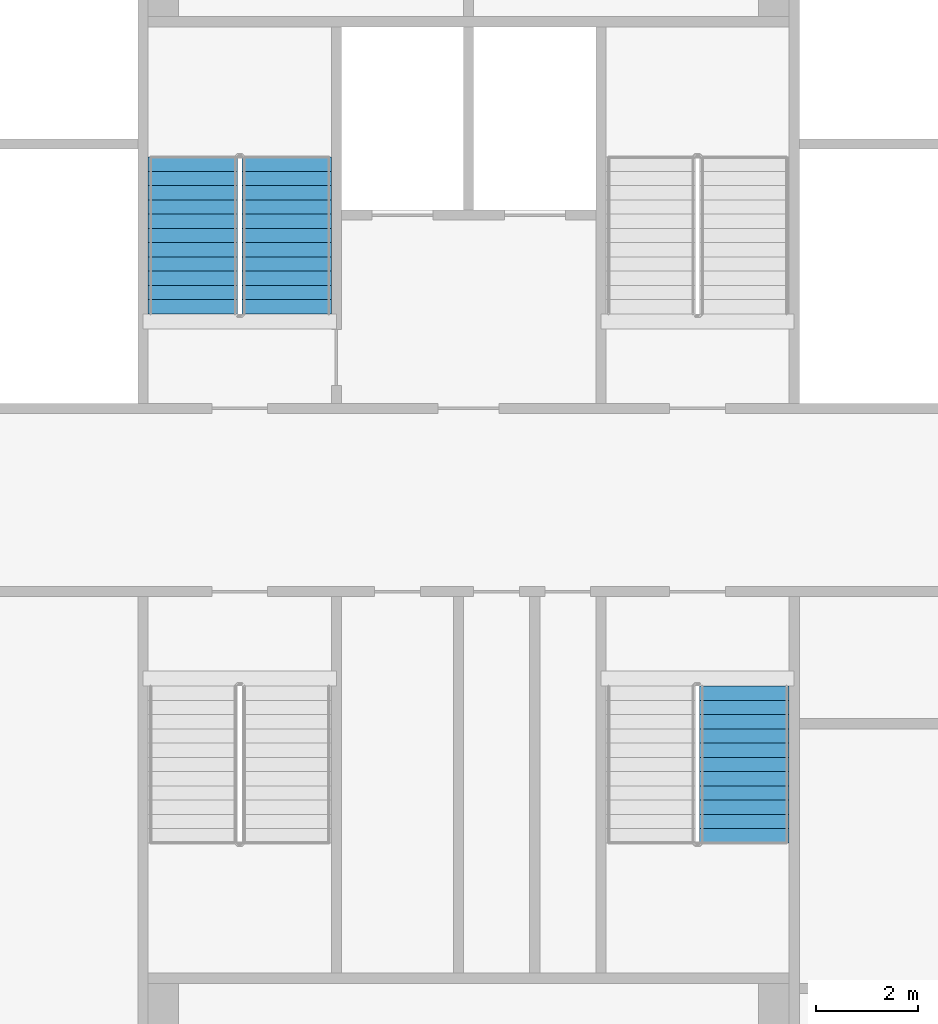
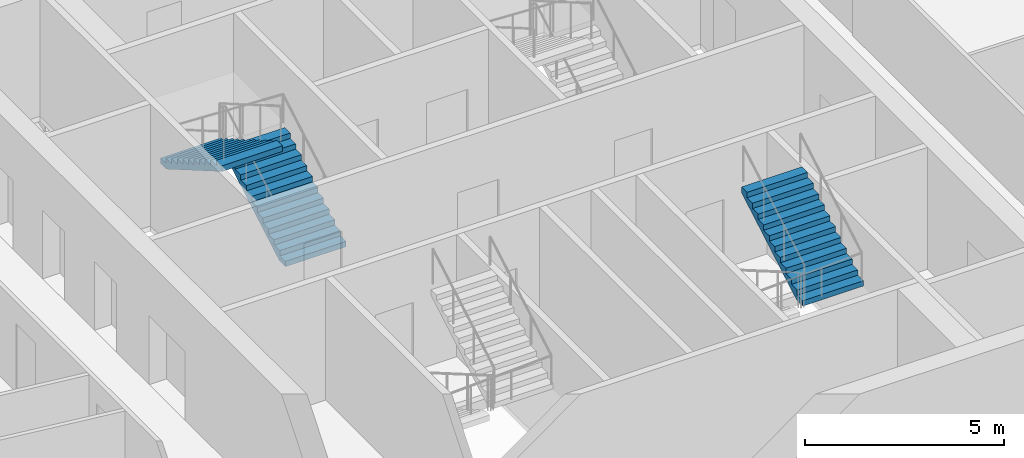
# One storey, part 15 of 21: 3 stair flights, 2 elements without a shape of their own.
"""IFC4 building model written with IfcOpenShell, lengths in metres."""

from ifc_helpers import new_model, si_unit, direction, frame, origin, place, context, subcontext, project, spatial, faceted_brep, material, type_object, element, aggregate, save


model = new_model("IFC4")

# Units and contexts
model_context = context("Model", 3, precision=1e-05, world=origin(), true_north=direction((0.0, 1.0)))
body_context = subcontext(model_context, "Body", "Model", "MODEL_VIEW")
ifc_project = project(units=[si_unit("LENGTHUNIT", "METRE"), si_unit("AREAUNIT", "SQUARE_METRE"), si_unit("VOLUMEUNIT", "CUBIC_METRE"), si_unit("PLANEANGLEUNIT", "RADIAN"), si_unit("MASSUNIT", "GRAM", prefix="KILO")], contexts=[model_context])

# Site, building, storey
site_placement = place(None, origin())
site = spatial("IfcSite", under=ifc_project, at=site_placement, CompositionType="ELEMENT")
building_placement = place(site_placement, origin())
building = spatial("IfcBuilding", under=site, at=building_placement, Name="Tarsis Ring Headquarters", CompositionType="ELEMENT")
storey_placement = place(building_placement, frame((0.0, 0.0, 255.199951171875)))
storey = spatial("IfcBuildingStorey", under=building, at=storey_placement, Name="L59", CompositionType="ELEMENT", Elevation=255.199951171875)

# Stair, stair flights
ifc_material_1 = material(Name="Core stair 1760")
stair_type = type_object("IfcStairType", Name="Core stair 1760", PredefinedType="HALF_TURN_STAIR", material=ifc_material_1)
stair_1_placement = place(storey_placement, origin())
stair_1 = element("IfcStair", 1, at=stair_1_placement, inside=storey, type_object=stair_type, Name="L59 Firefighting stair", PredefinedType="HALF_TURN_STAIR")
ifc_material_2 = material(Name="Concrete C40/50", Category="concrete")
stair_flight_type = type_object("IfcStairFlightType", Name="Core stair flight 1760", PredefinedType="STRAIGHT", material=ifc_material_2)
stair_flight_1_placement = place(storey_placement, frame((-3.580078125, 3.659912109375, 0.0), z_axis=(0.0, 0.0, 1.0), x_axis=(0.0, 1.0, 0.0)))
stair_flight_1 = element("IfcStairFlight", 2, at=stair_flight_1_placement, type_object=stair_flight_type, Name="Stair ST1 flight 1", NumberOfRisers=12, NumberOfTreads=11, PredefinedType="STRAIGHT", RiserHeight=0.1625, TreadLength=0.28, context=body_context, shape_type="Brep", body=[
    faceted_brep([(0.0, 0.8798828125, 0.0), (0.0, 0.8798828125, 0.16259765625), (0.280029296875, 0.8798828125, 0.16259765625), (0.280029296875, 0.8798828125, 0.324951171875), (0.56005859375, 0.8798828125, 0.324951171875), (0.56005859375, 0.8798828125, 0.487548828125), (0.840087890625, 0.8798828125, 0.487548828125), (0.840087890625, 0.8798828125, 0.64990234375), (1.1201171875, 0.8798828125, 0.64990234375), (1.1201171875, 0.8798828125, 0.8125), (1.39990234375, 0.8798828125, 0.8125), (1.39990234375, 0.8798828125, 0.97509765625), (1.679931640625, 0.8798828125, 0.97509765625), (1.679931640625, 0.8798828125, 1.137451171875), (1.9599609375, 0.8798828125, 1.137451171875), (1.9599609375, 0.8798828125, 1.300048828125), (2.239990234375, 0.8798828125, 1.300048828125), (2.239990234375, 0.8798828125, 1.46240234375), (2.52001953125, 0.8798828125, 1.46240234375), (2.52001953125, 0.8798828125, 1.625), (2.800048828125, 0.8798828125, 1.625), (2.800048828125, 0.8798828125, 1.78759765625), (3.080078125, 0.8798828125, 1.78759765625), (3.080078125, 0.8798828125, 1.6142578125), (0.298583984375, 0.8798828125, 0.0), (0.298583984375, -0.8798828125, 0.0), (3.080078125, -0.8798828125, 1.6142578125), (3.080078125, -0.8798828125, 1.78759765625), (2.800048828125, -0.8798828125, 1.78759765625), (2.800048828125, -0.8798828125, 1.625), (2.52001953125, -0.8798828125, 1.625), (2.52001953125, -0.8798828125, 1.46240234375), (2.239990234375, -0.8798828125, 1.46240234375), (2.239990234375, -0.8798828125, 1.300048828125), (1.9599609375, -0.8798828125, 1.300048828125), (1.9599609375, -0.8798828125, 1.137451171875), (1.679931640625, -0.8798828125, 1.137451171875), (1.679931640625, -0.8798828125, 0.97509765625), (1.39990234375, -0.8798828125, 0.97509765625), (1.39990234375, -0.8798828125, 0.8125), (1.1201171875, -0.8798828125, 0.8125), (1.1201171875, -0.8798828125, 0.64990234375), (0.840087890625, -0.8798828125, 0.64990234375), (0.840087890625, -0.8798828125, 0.487548828125), (0.56005859375, -0.8798828125, 0.487548828125), (0.56005859375, -0.8798828125, 0.324951171875), (0.280029296875, -0.8798828125, 0.324951171875), (0.280029296875, -0.8798828125, 0.16259765625), (0.0, -0.8798828125, 0.16259765625), (0.0, -0.8798828125, 0.0), (0.0, -0.43994140625, 0.16259765625), (0.0, -0.43994140625, 0.0), (0.0, 0.0, 0.16259765625), (0.0, 0.0, 0.0), (0.0, 0.43994140625, 0.16259765625), (0.0, 0.43994140625, 0.0), (0.280029296875, -0.43994140625, 0.16259765625), (0.280029296875, 0.0, 0.16259765625), (0.280029296875, 0.43994140625, 0.16259765625), (0.280029296875, -0.43994140625, 0.324951171875), (0.280029296875, 0.0, 0.324951171875), (0.280029296875, 0.43994140625, 0.324951171875), (0.56005859375, -0.43994140625, 0.324951171875), (0.56005859375, 0.0, 0.324951171875), (0.56005859375, 0.43994140625, 0.324951171875), (0.56005859375, -0.43994140625, 0.487548828125), (0.56005859375, 0.0, 0.487548828125), (0.56005859375, 0.43994140625, 0.487548828125), (0.840087890625, -0.43994140625, 0.487548828125), (0.840087890625, 0.0, 0.487548828125), (0.840087890625, 0.43994140625, 0.487548828125), (0.840087890625, -0.43994140625, 0.64990234375), (0.840087890625, 0.0, 0.64990234375), (0.840087890625, 0.43994140625, 0.64990234375), (1.1201171875, -0.43994140625, 0.64990234375), (1.1201171875, 0.0, 0.64990234375), (1.1201171875, 0.43994140625, 0.64990234375), (1.1201171875, -0.43994140625, 0.8125), (1.1201171875, 0.0, 0.8125), (1.1201171875, 0.43994140625, 0.8125), (1.39990234375, -0.43994140625, 0.8125), (1.39990234375, 0.0, 0.8125), (1.39990234375, 0.43994140625, 0.8125), (1.39990234375, -0.43994140625, 0.97509765625), (1.39990234375, 0.0, 0.97509765625), (1.39990234375, 0.43994140625, 0.97509765625), (1.679931640625, -0.43994140625, 0.97509765625), (1.679931640625, 0.0, 0.97509765625), (1.679931640625, 0.43994140625, 0.97509765625), (1.679931640625, -0.43994140625, 1.137451171875), (1.679931640625, 0.0, 1.137451171875), (1.679931640625, 0.43994140625, 1.137451171875), (1.9599609375, -0.43994140625, 1.137451171875), (1.9599609375, 0.0, 1.137451171875), (1.9599609375, 0.43994140625, 1.137451171875), (1.9599609375, -0.43994140625, 1.300048828125), (1.9599609375, 0.0, 1.300048828125), (1.9599609375, 0.43994140625, 1.300048828125), (2.239990234375, -0.43994140625, 1.300048828125), (2.239990234375, 0.0, 1.300048828125), (2.239990234375, 0.43994140625, 1.300048828125), (2.239990234375, -0.43994140625, 1.46240234375), (2.239990234375, 0.0, 1.46240234375), (2.239990234375, 0.43994140625, 1.46240234375), (2.52001953125, -0.43994140625, 1.46240234375), (2.52001953125, 0.0, 1.46240234375), (2.52001953125, 0.43994140625, 1.46240234375), (2.52001953125, -0.43994140625, 1.625), (2.52001953125, 0.0, 1.625), (2.52001953125, 0.43994140625, 1.625), (2.800048828125, -0.43994140625, 1.625), (2.800048828125, 0.0, 1.625), (2.800048828125, 0.43994140625, 1.625), (2.800048828125, -0.43994140625, 1.78759765625), (2.800048828125, 0.0, 1.78759765625), (2.800048828125, 0.43994140625, 1.78759765625), (3.080078125, -0.43994140625, 1.78759765625), (3.080078125, 0.0, 1.78759765625), (3.080078125, 0.43994140625, 1.78759765625), (3.080078125, -0.43994140625, 1.6142578125), (3.080078125, 0.0, 1.6142578125), (3.080078125, 0.43994140625, 1.6142578125), (0.298583984375, -0.43994140625, 0.0), (0.298583984375, 0.0, 0.0), (0.298583984375, 0.43994140625, 0.0)], [[[0, 1, 2, 3, 4, 5, 6, 7, 8, 9, 10, 11, 12, 13, 14, 15, 16, 17, 18, 19, 20, 21, 22, 23, 24]], [[25, 26, 27, 28, 29, 30, 31, 32, 33, 34, 35, 36, 37, 38, 39, 40, 41, 42, 43, 44, 45, 46, 47, 48, 49]], [[49, 48, 50, 51]], [[51, 50, 52, 53]], [[53, 52, 54, 55]], [[55, 54, 1, 0]], [[48, 47, 56, 50]], [[50, 56, 57, 52]], [[52, 57, 58, 54]], [[54, 58, 2, 1]], [[47, 46, 59, 56]], [[56, 59, 60, 57]], [[57, 60, 61, 58]], [[58, 61, 3, 2]], [[46, 45, 62, 59]], [[59, 62, 63, 60]], [[60, 63, 64, 61]], [[61, 64, 4, 3]], [[45, 44, 65, 62]], [[62, 65, 66, 63]], [[63, 66, 67, 64]], [[64, 67, 5, 4]], [[44, 43, 68, 65]], [[65, 68, 69, 66]], [[66, 69, 70, 67]], [[67, 70, 6, 5]], [[43, 42, 71, 68]], [[68, 71, 72, 69]], [[69, 72, 73, 70]], [[70, 73, 7, 6]], [[42, 41, 74, 71]], [[71, 74, 75, 72]], [[72, 75, 76, 73]], [[73, 76, 8, 7]], [[41, 40, 77, 74]], [[74, 77, 78, 75]], [[75, 78, 79, 76]], [[76, 79, 9, 8]], [[40, 39, 80, 77]], [[77, 80, 81, 78]], [[78, 81, 82, 79]], [[79, 82, 10, 9]], [[39, 38, 83, 80]], [[80, 83, 84, 81]], [[81, 84, 85, 82]], [[82, 85, 11, 10]], [[38, 37, 86, 83]], [[83, 86, 87, 84]], [[84, 87, 88, 85]], [[85, 88, 12, 11]], [[37, 36, 89, 86]], [[86, 89, 90, 87]], [[87, 90, 91, 88]], [[88, 91, 13, 12]], [[36, 35, 92, 89]], [[89, 92, 93, 90]], [[90, 93, 94, 91]], [[91, 94, 14, 13]], [[35, 34, 95, 92]], [[92, 95, 96, 93]], [[93, 96, 97, 94]], [[94, 97, 15, 14]], [[34, 33, 98, 95]], [[95, 98, 99, 96]], [[96, 99, 100, 97]], [[97, 100, 16, 15]], [[33, 32, 101, 98]], [[98, 101, 102, 99]], [[99, 102, 103, 100]], [[100, 103, 17, 16]], [[32, 31, 104, 101]], [[101, 104, 105, 102]], [[102, 105, 106, 103]], [[103, 106, 18, 17]], [[31, 30, 107, 104]], [[104, 107, 108, 105]], [[105, 108, 109, 106]], [[106, 109, 19, 18]], [[30, 29, 110, 107]], [[107, 110, 111, 108]], [[108, 111, 112, 109]], [[109, 112, 20, 19]], [[29, 28, 113, 110]], [[110, 113, 114, 111]], [[111, 114, 115, 112]], [[112, 115, 21, 20]], [[28, 27, 116, 113]], [[113, 116, 117, 114]], [[114, 117, 118, 115]], [[115, 118, 22, 21]], [[27, 26, 119, 116]], [[116, 119, 120, 117]], [[117, 120, 121, 118]], [[118, 121, 23, 22]], [[26, 25, 122, 119]], [[119, 122, 123, 120]], [[120, 123, 124, 121]], [[121, 124, 24, 23]], [[25, 49, 51, 122]], [[122, 51, 53, 123]], [[123, 53, 55, 124]], [[124, 55, 0, 24]]]),
])
stair_flight_2_placement = place(storey_placement, frame((-5.419921875, 6.739990234375, 1.949951171875), z_axis=(0.0, 0.0, 1.0), x_axis=(0.0, -1.0, 0.0)))
stair_flight_2 = element("IfcStairFlight", 3, at=stair_flight_2_placement, type_object=stair_flight_type, Name="Stair ST1 flight 2", NumberOfRisers=12, NumberOfTreads=11, PredefinedType="STRAIGHT", RiserHeight=0.1625, TreadLength=0.28, context=body_context, shape_type="Brep", body=[
    faceted_brep([(0.0, 0.8798828125, 0.0), (0.0, 0.8798828125, 0.16259765625), (0.280029296875, 0.8798828125, 0.16259765625), (0.280029296875, 0.8798828125, 0.324951171875), (0.56005859375, 0.8798828125, 0.324951171875), (0.56005859375, 0.8798828125, 0.487548828125), (0.840087890625, 0.8798828125, 0.487548828125), (0.840087890625, 0.8798828125, 0.64990234375), (1.1201171875, 0.8798828125, 0.64990234375), (1.1201171875, 0.8798828125, 0.8125), (1.39990234375, 0.8798828125, 0.8125), (1.39990234375, 0.8798828125, 0.97509765625), (1.679931640625, 0.8798828125, 0.97509765625), (1.679931640625, 0.8798828125, 1.137451171875), (1.9599609375, 0.8798828125, 1.137451171875), (1.9599609375, 0.8798828125, 1.300048828125), (2.239990234375, 0.8798828125, 1.300048828125), (2.239990234375, 0.8798828125, 1.46240234375), (2.52001953125, 0.8798828125, 1.46240234375), (2.52001953125, 0.8798828125, 1.625), (2.800048828125, 0.8798828125, 1.625), (2.800048828125, 0.8798828125, 1.78759765625), (3.080078125, 0.8798828125, 1.78759765625), (3.080078125, 0.8798828125, 1.6142578125), (0.298583984375, 0.8798828125, 0.0), (0.298583984375, -0.8798828125, 0.0), (3.080078125, -0.8798828125, 1.6142578125), (3.080078125, -0.8798828125, 1.78759765625), (2.800048828125, -0.8798828125, 1.78759765625), (2.800048828125, -0.8798828125, 1.625), (2.52001953125, -0.8798828125, 1.625), (2.52001953125, -0.8798828125, 1.46240234375), (2.239990234375, -0.8798828125, 1.46240234375), (2.239990234375, -0.8798828125, 1.300048828125), (1.9599609375, -0.8798828125, 1.300048828125), (1.9599609375, -0.8798828125, 1.137451171875), (1.679931640625, -0.8798828125, 1.137451171875), (1.679931640625, -0.8798828125, 0.97509765625), (1.39990234375, -0.8798828125, 0.97509765625), (1.39990234375, -0.8798828125, 0.8125), (1.1201171875, -0.8798828125, 0.8125), (1.1201171875, -0.8798828125, 0.64990234375), (0.840087890625, -0.8798828125, 0.64990234375), (0.840087890625, -0.8798828125, 0.487548828125), (0.56005859375, -0.8798828125, 0.487548828125), (0.56005859375, -0.8798828125, 0.324951171875), (0.280029296875, -0.8798828125, 0.324951171875), (0.280029296875, -0.8798828125, 0.16259765625), (0.0, -0.8798828125, 0.16259765625), (0.0, -0.8798828125, 0.0), (0.0, -0.43994140625, 0.16259765625), (0.0, -0.43994140625, 0.0), (0.0, 0.0, 0.16259765625), (0.0, 0.0, 0.0), (0.0, 0.43994140625, 0.16259765625), (0.0, 0.43994140625, 0.0), (0.280029296875, -0.43994140625, 0.16259765625), (0.280029296875, 0.0, 0.16259765625), (0.280029296875, 0.43994140625, 0.16259765625), (0.280029296875, -0.43994140625, 0.324951171875), (0.280029296875, 0.0, 0.324951171875), (0.280029296875, 0.43994140625, 0.324951171875), (0.56005859375, -0.43994140625, 0.324951171875), (0.56005859375, 0.0, 0.324951171875), (0.56005859375, 0.43994140625, 0.324951171875), (0.56005859375, -0.43994140625, 0.487548828125), (0.56005859375, 0.0, 0.487548828125), (0.56005859375, 0.43994140625, 0.487548828125), (0.840087890625, -0.43994140625, 0.487548828125), (0.840087890625, 0.0, 0.487548828125), (0.840087890625, 0.43994140625, 0.487548828125), (0.840087890625, -0.43994140625, 0.64990234375), (0.840087890625, 0.0, 0.64990234375), (0.840087890625, 0.43994140625, 0.64990234375), (1.1201171875, -0.43994140625, 0.64990234375), (1.1201171875, 0.0, 0.64990234375), (1.1201171875, 0.43994140625, 0.64990234375), (1.1201171875, -0.43994140625, 0.8125), (1.1201171875, 0.0, 0.8125), (1.1201171875, 0.43994140625, 0.8125), (1.39990234375, -0.43994140625, 0.8125), (1.39990234375, 0.0, 0.8125), (1.39990234375, 0.43994140625, 0.8125), (1.39990234375, -0.43994140625, 0.97509765625), (1.39990234375, 0.0, 0.97509765625), (1.39990234375, 0.43994140625, 0.97509765625), (1.679931640625, -0.43994140625, 0.97509765625), (1.679931640625, 0.0, 0.97509765625), (1.679931640625, 0.43994140625, 0.97509765625), (1.679931640625, -0.43994140625, 1.137451171875), (1.679931640625, 0.0, 1.137451171875), (1.679931640625, 0.43994140625, 1.137451171875), (1.9599609375, -0.43994140625, 1.137451171875), (1.9599609375, 0.0, 1.137451171875), (1.9599609375, 0.43994140625, 1.137451171875), (1.9599609375, -0.43994140625, 1.300048828125), (1.9599609375, 0.0, 1.300048828125), (1.9599609375, 0.43994140625, 1.300048828125), (2.239990234375, -0.43994140625, 1.300048828125), (2.239990234375, 0.0, 1.300048828125), (2.239990234375, 0.43994140625, 1.300048828125), (2.239990234375, -0.43994140625, 1.46240234375), (2.239990234375, 0.0, 1.46240234375), (2.239990234375, 0.43994140625, 1.46240234375), (2.52001953125, -0.43994140625, 1.46240234375), (2.52001953125, 0.0, 1.46240234375), (2.52001953125, 0.43994140625, 1.46240234375), (2.52001953125, -0.43994140625, 1.625), (2.52001953125, 0.0, 1.625), (2.52001953125, 0.43994140625, 1.625), (2.800048828125, -0.43994140625, 1.625), (2.800048828125, 0.0, 1.625), (2.800048828125, 0.43994140625, 1.625), (2.800048828125, -0.43994140625, 1.78759765625), (2.800048828125, 0.0, 1.78759765625), (2.800048828125, 0.43994140625, 1.78759765625), (3.080078125, -0.43994140625, 1.78759765625), (3.080078125, 0.0, 1.78759765625), (3.080078125, 0.43994140625, 1.78759765625), (3.080078125, -0.43994140625, 1.6142578125), (3.080078125, 0.0, 1.6142578125), (3.080078125, 0.43994140625, 1.6142578125), (0.298583984375, -0.43994140625, 0.0), (0.298583984375, 0.0, 0.0), (0.298583984375, 0.43994140625, 0.0)], [[[0, 1, 2, 3, 4, 5, 6, 7, 8, 9, 10, 11, 12, 13, 14, 15, 16, 17, 18, 19, 20, 21, 22, 23, 24]], [[25, 26, 27, 28, 29, 30, 31, 32, 33, 34, 35, 36, 37, 38, 39, 40, 41, 42, 43, 44, 45, 46, 47, 48, 49]], [[49, 48, 50, 51]], [[51, 50, 52, 53]], [[53, 52, 54, 55]], [[55, 54, 1, 0]], [[48, 47, 56, 50]], [[50, 56, 57, 52]], [[52, 57, 58, 54]], [[54, 58, 2, 1]], [[47, 46, 59, 56]], [[56, 59, 60, 57]], [[57, 60, 61, 58]], [[58, 61, 3, 2]], [[46, 45, 62, 59]], [[59, 62, 63, 60]], [[60, 63, 64, 61]], [[61, 64, 4, 3]], [[45, 44, 65, 62]], [[62, 65, 66, 63]], [[63, 66, 67, 64]], [[64, 67, 5, 4]], [[44, 43, 68, 65]], [[65, 68, 69, 66]], [[66, 69, 70, 67]], [[67, 70, 6, 5]], [[43, 42, 71, 68]], [[68, 71, 72, 69]], [[69, 72, 73, 70]], [[70, 73, 7, 6]], [[42, 41, 74, 71]], [[71, 74, 75, 72]], [[72, 75, 76, 73]], [[73, 76, 8, 7]], [[41, 40, 77, 74]], [[74, 77, 78, 75]], [[75, 78, 79, 76]], [[76, 79, 9, 8]], [[40, 39, 80, 77]], [[77, 80, 81, 78]], [[78, 81, 82, 79]], [[79, 82, 10, 9]], [[39, 38, 83, 80]], [[80, 83, 84, 81]], [[81, 84, 85, 82]], [[82, 85, 11, 10]], [[38, 37, 86, 83]], [[83, 86, 87, 84]], [[84, 87, 88, 85]], [[85, 88, 12, 11]], [[37, 36, 89, 86]], [[86, 89, 90, 87]], [[87, 90, 91, 88]], [[88, 91, 13, 12]], [[36, 35, 92, 89]], [[89, 92, 93, 90]], [[90, 93, 94, 91]], [[91, 94, 14, 13]], [[35, 34, 95, 92]], [[92, 95, 96, 93]], [[93, 96, 97, 94]], [[94, 97, 15, 14]], [[34, 33, 98, 95]], [[95, 98, 99, 96]], [[96, 99, 100, 97]], [[97, 100, 16, 15]], [[33, 32, 101, 98]], [[98, 101, 102, 99]], [[99, 102, 103, 100]], [[100, 103, 17, 16]], [[32, 31, 104, 101]], [[101, 104, 105, 102]], [[102, 105, 106, 103]], [[103, 106, 18, 17]], [[31, 30, 107, 104]], [[104, 107, 108, 105]], [[105, 108, 109, 106]], [[106, 109, 19, 18]], [[30, 29, 110, 107]], [[107, 110, 111, 108]], [[108, 111, 112, 109]], [[109, 112, 20, 19]], [[29, 28, 113, 110]], [[110, 113, 114, 111]], [[111, 114, 115, 112]], [[112, 115, 21, 20]], [[28, 27, 116, 113]], [[113, 116, 117, 114]], [[114, 117, 118, 115]], [[115, 118, 22, 21]], [[27, 26, 119, 116]], [[116, 119, 120, 117]], [[117, 120, 121, 118]], [[118, 121, 23, 22]], [[26, 25, 122, 119]], [[119, 122, 123, 120]], [[120, 123, 124, 121]], [[121, 124, 24, 23]], [[25, 49, 51, 122]], [[122, 51, 53, 123]], [[123, 53, 55, 124]], [[124, 55, 0, 24]]]),
])
aggregate(stair_1, [stair_flight_1, stair_flight_2])

# Stair, stair flight
stair_2_placement = place(storey_placement, origin())
stair_2 = element("IfcStair", 4, at=stair_2_placement, inside=storey, type_object=stair_type, Name="L59 Exit stair D", PredefinedType="HALF_TURN_STAIR")
stair_flight_3_placement = place(storey_placement, frame((5.419921875, -6.739990234375, 1.949951171875), z_axis=(0.0, 0.0, 1.0), x_axis=(0.0, 1.0, 0.0)))
stair_flight_3 = element("IfcStairFlight", 5, at=stair_flight_3_placement, type_object=stair_flight_type, Name="Stair ST4 flight 2", NumberOfRisers=12, NumberOfTreads=11, PredefinedType="STRAIGHT", RiserHeight=0.1625, TreadLength=0.28, context=body_context, shape_type="Brep", body=[
    faceted_brep([(0.0, 0.8798828125, 0.0), (0.0, 0.8798828125, 0.16259765625), (0.280029296875, 0.8798828125, 0.16259765625), (0.280029296875, 0.8798828125, 0.324951171875), (0.56005859375, 0.8798828125, 0.324951171875), (0.56005859375, 0.8798828125, 0.487548828125), (0.840087890625, 0.8798828125, 0.487548828125), (0.840087890625, 0.8798828125, 0.64990234375), (1.1201171875, 0.8798828125, 0.64990234375), (1.1201171875, 0.8798828125, 0.8125), (1.39990234375, 0.8798828125, 0.8125), (1.39990234375, 0.8798828125, 0.97509765625), (1.679931640625, 0.8798828125, 0.97509765625), (1.679931640625, 0.8798828125, 1.137451171875), (1.9599609375, 0.8798828125, 1.137451171875), (1.9599609375, 0.8798828125, 1.300048828125), (2.239990234375, 0.8798828125, 1.300048828125), (2.239990234375, 0.8798828125, 1.46240234375), (2.52001953125, 0.8798828125, 1.46240234375), (2.52001953125, 0.8798828125, 1.625), (2.800048828125, 0.8798828125, 1.625), (2.800048828125, 0.8798828125, 1.78759765625), (3.080078125, 0.8798828125, 1.78759765625), (3.080078125, 0.8798828125, 1.6142578125), (0.298583984375, 0.8798828125, 0.0), (0.298583984375, -0.8798828125, 0.0), (3.080078125, -0.8798828125, 1.6142578125), (3.080078125, -0.8798828125, 1.78759765625), (2.800048828125, -0.8798828125, 1.78759765625), (2.800048828125, -0.8798828125, 1.625), (2.52001953125, -0.8798828125, 1.625), (2.52001953125, -0.8798828125, 1.46240234375), (2.239990234375, -0.8798828125, 1.46240234375), (2.239990234375, -0.8798828125, 1.300048828125), (1.9599609375, -0.8798828125, 1.300048828125), (1.9599609375, -0.8798828125, 1.137451171875), (1.679931640625, -0.8798828125, 1.137451171875), (1.679931640625, -0.8798828125, 0.97509765625), (1.39990234375, -0.8798828125, 0.97509765625), (1.39990234375, -0.8798828125, 0.8125), (1.1201171875, -0.8798828125, 0.8125), (1.1201171875, -0.8798828125, 0.64990234375), (0.840087890625, -0.8798828125, 0.64990234375), (0.840087890625, -0.8798828125, 0.487548828125), (0.56005859375, -0.8798828125, 0.487548828125), (0.56005859375, -0.8798828125, 0.324951171875), (0.280029296875, -0.8798828125, 0.324951171875), (0.280029296875, -0.8798828125, 0.16259765625), (0.0, -0.8798828125, 0.16259765625), (0.0, -0.8798828125, 0.0), (0.0, -0.43994140625, 0.16259765625), (0.0, -0.43994140625, 0.0), (0.0, 0.0, 0.16259765625), (0.0, 0.0, 0.0), (0.0, 0.43994140625, 0.16259765625), (0.0, 0.43994140625, 0.0), (0.280029296875, -0.43994140625, 0.16259765625), (0.280029296875, 0.0, 0.16259765625), (0.280029296875, 0.43994140625, 0.16259765625), (0.280029296875, -0.43994140625, 0.324951171875), (0.280029296875, 0.0, 0.324951171875), (0.280029296875, 0.43994140625, 0.324951171875), (0.56005859375, -0.43994140625, 0.324951171875), (0.56005859375, 0.0, 0.324951171875), (0.56005859375, 0.43994140625, 0.324951171875), (0.56005859375, -0.43994140625, 0.487548828125), (0.56005859375, 0.0, 0.487548828125), (0.56005859375, 0.43994140625, 0.487548828125), (0.840087890625, -0.43994140625, 0.487548828125), (0.840087890625, 0.0, 0.487548828125), (0.840087890625, 0.43994140625, 0.487548828125), (0.840087890625, -0.43994140625, 0.64990234375), (0.840087890625, 0.0, 0.64990234375), (0.840087890625, 0.43994140625, 0.64990234375), (1.1201171875, -0.43994140625, 0.64990234375), (1.1201171875, 0.0, 0.64990234375), (1.1201171875, 0.43994140625, 0.64990234375), (1.1201171875, -0.43994140625, 0.8125), (1.1201171875, 0.0, 0.8125), (1.1201171875, 0.43994140625, 0.8125), (1.39990234375, -0.43994140625, 0.8125), (1.39990234375, 0.0, 0.8125), (1.39990234375, 0.43994140625, 0.8125), (1.39990234375, -0.43994140625, 0.97509765625), (1.39990234375, 0.0, 0.97509765625), (1.39990234375, 0.43994140625, 0.97509765625), (1.679931640625, -0.43994140625, 0.97509765625), (1.679931640625, 0.0, 0.97509765625), (1.679931640625, 0.43994140625, 0.97509765625), (1.679931640625, -0.43994140625, 1.137451171875), (1.679931640625, 0.0, 1.137451171875), (1.679931640625, 0.43994140625, 1.137451171875), (1.9599609375, -0.43994140625, 1.137451171875), (1.9599609375, 0.0, 1.137451171875), (1.9599609375, 0.43994140625, 1.137451171875), (1.9599609375, -0.43994140625, 1.300048828125), (1.9599609375, 0.0, 1.300048828125), (1.9599609375, 0.43994140625, 1.300048828125), (2.239990234375, -0.43994140625, 1.300048828125), (2.239990234375, 0.0, 1.300048828125), (2.239990234375, 0.43994140625, 1.300048828125), (2.239990234375, -0.43994140625, 1.46240234375), (2.239990234375, 0.0, 1.46240234375), (2.239990234375, 0.43994140625, 1.46240234375), (2.52001953125, -0.43994140625, 1.46240234375), (2.52001953125, 0.0, 1.46240234375), (2.52001953125, 0.43994140625, 1.46240234375), (2.52001953125, -0.43994140625, 1.625), (2.52001953125, 0.0, 1.625), (2.52001953125, 0.43994140625, 1.625), (2.800048828125, -0.43994140625, 1.625), (2.800048828125, 0.0, 1.625), (2.800048828125, 0.43994140625, 1.625), (2.800048828125, -0.43994140625, 1.78759765625), (2.800048828125, 0.0, 1.78759765625), (2.800048828125, 0.43994140625, 1.78759765625), (3.080078125, -0.43994140625, 1.78759765625), (3.080078125, 0.0, 1.78759765625), (3.080078125, 0.43994140625, 1.78759765625), (3.080078125, -0.43994140625, 1.6142578125), (3.080078125, 0.0, 1.6142578125), (3.080078125, 0.43994140625, 1.6142578125), (0.298583984375, -0.43994140625, 0.0), (0.298583984375, 0.0, 0.0), (0.298583984375, 0.43994140625, 0.0)], [[[0, 1, 2, 3, 4, 5, 6, 7, 8, 9, 10, 11, 12, 13, 14, 15, 16, 17, 18, 19, 20, 21, 22, 23, 24]], [[25, 26, 27, 28, 29, 30, 31, 32, 33, 34, 35, 36, 37, 38, 39, 40, 41, 42, 43, 44, 45, 46, 47, 48, 49]], [[49, 48, 50, 51]], [[51, 50, 52, 53]], [[53, 52, 54, 55]], [[55, 54, 1, 0]], [[48, 47, 56, 50]], [[50, 56, 57, 52]], [[52, 57, 58, 54]], [[54, 58, 2, 1]], [[47, 46, 59, 56]], [[56, 59, 60, 57]], [[57, 60, 61, 58]], [[58, 61, 3, 2]], [[46, 45, 62, 59]], [[59, 62, 63, 60]], [[60, 63, 64, 61]], [[61, 64, 4, 3]], [[45, 44, 65, 62]], [[62, 65, 66, 63]], [[63, 66, 67, 64]], [[64, 67, 5, 4]], [[44, 43, 68, 65]], [[65, 68, 69, 66]], [[66, 69, 70, 67]], [[67, 70, 6, 5]], [[43, 42, 71, 68]], [[68, 71, 72, 69]], [[69, 72, 73, 70]], [[70, 73, 7, 6]], [[42, 41, 74, 71]], [[71, 74, 75, 72]], [[72, 75, 76, 73]], [[73, 76, 8, 7]], [[41, 40, 77, 74]], [[74, 77, 78, 75]], [[75, 78, 79, 76]], [[76, 79, 9, 8]], [[40, 39, 80, 77]], [[77, 80, 81, 78]], [[78, 81, 82, 79]], [[79, 82, 10, 9]], [[39, 38, 83, 80]], [[80, 83, 84, 81]], [[81, 84, 85, 82]], [[82, 85, 11, 10]], [[38, 37, 86, 83]], [[83, 86, 87, 84]], [[84, 87, 88, 85]], [[85, 88, 12, 11]], [[37, 36, 89, 86]], [[86, 89, 90, 87]], [[87, 90, 91, 88]], [[88, 91, 13, 12]], [[36, 35, 92, 89]], [[89, 92, 93, 90]], [[90, 93, 94, 91]], [[91, 94, 14, 13]], [[35, 34, 95, 92]], [[92, 95, 96, 93]], [[93, 96, 97, 94]], [[94, 97, 15, 14]], [[34, 33, 98, 95]], [[95, 98, 99, 96]], [[96, 99, 100, 97]], [[97, 100, 16, 15]], [[33, 32, 101, 98]], [[98, 101, 102, 99]], [[99, 102, 103, 100]], [[100, 103, 17, 16]], [[32, 31, 104, 101]], [[101, 104, 105, 102]], [[102, 105, 106, 103]], [[103, 106, 18, 17]], [[31, 30, 107, 104]], [[104, 107, 108, 105]], [[105, 108, 109, 106]], [[106, 109, 19, 18]], [[30, 29, 110, 107]], [[107, 110, 111, 108]], [[108, 111, 112, 109]], [[109, 112, 20, 19]], [[29, 28, 113, 110]], [[110, 113, 114, 111]], [[111, 114, 115, 112]], [[112, 115, 21, 20]], [[28, 27, 116, 113]], [[113, 116, 117, 114]], [[114, 117, 118, 115]], [[115, 118, 22, 21]], [[27, 26, 119, 116]], [[116, 119, 120, 117]], [[117, 120, 121, 118]], [[118, 121, 23, 22]], [[26, 25, 122, 119]], [[119, 122, 123, 120]], [[120, 123, 124, 121]], [[121, 124, 24, 23]], [[25, 49, 51, 122]], [[122, 51, 53, 123]], [[123, 53, 55, 124]], [[124, 55, 0, 24]]]),
])
aggregate(stair_2, [stair_flight_3])

save(model, "model.ifc")
